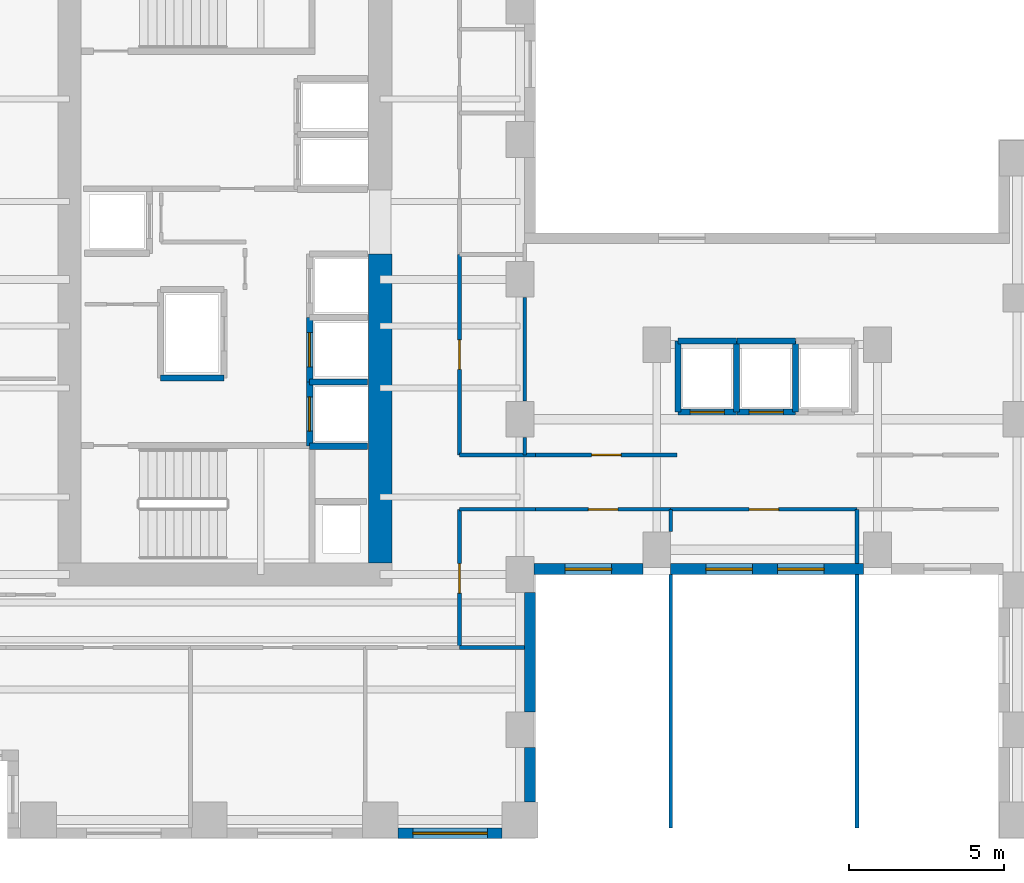
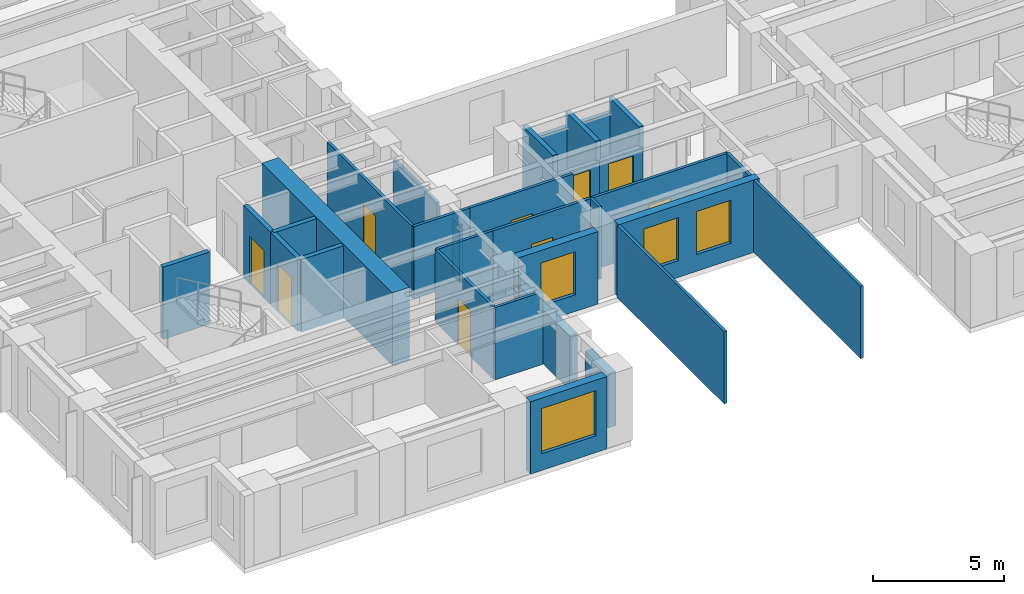
# One storey, part 4 of 11: 32 walls, 9 doors, 4 windows, 13 openings.
"""IFC4 building model written with IfcOpenShell, lengths in metres."""

from ifc_helpers import new_model, si_unit, direction, frame, frame_2d, origin, place, context, subcontext, project, spatial, rectangle, extrude, source, transform, mapped, material, layer, layer_set, type_object, element, fill, save


model = new_model("IFC4")

# Units and contexts
model_context = context("Model", 3, precision=1e-05, world=origin(), true_north=direction((0.0, 1.0)))
body_context = subcontext(model_context, "Body", "Model", "MODEL_VIEW")
ifc_project = project(units=[si_unit("LENGTHUNIT", "METRE"), si_unit("AREAUNIT", "SQUARE_METRE"), si_unit("VOLUMEUNIT", "CUBIC_METRE"), si_unit("PLANEANGLEUNIT", "RADIAN"), si_unit("MASSUNIT", "GRAM", prefix="KILO")], contexts=[model_context])

# Site, building, storey
site_placement = place(None, origin())
site = spatial("IfcSite", under=ifc_project, at=site_placement, CompositionType="ELEMENT")
building_placement = place(site_placement, origin())
building = spatial("IfcBuilding", under=site, at=building_placement, Name="Kharzan Plaza Tower", CompositionType="ELEMENT")
storey_placement = place(building_placement, frame((0.0, 0.0, 120.60009765625)))
storey = spatial("IfcBuildingStorey", under=building, at=storey_placement, Name="L32", CompositionType="ELEMENT", Elevation=120.60009765625)

# Wall, opening, window
ifc_material_1 = material(Name="Concrete C40/50", Category="concrete")
ifc_layer_1 = layer(ifc_material_1, 0.35009765625)
ifc_layer_set_1 = layer_set([ifc_layer_1], Name="Concrete C40/50")
wall_type_1 = type_object("IfcWallType", Name="WL-EXT-MAS-Z2", PredefinedType="SOLIDWALL", material=ifc_layer_set_1)
wall_1_placement = place(storey_placement, frame((15.072998046875, 0.175048828125, 0.0), z_axis=(0.0, 0.0, 1.0), x_axis=(1.0, 0.0, 0.0)))
wall_1 = element("IfcWall", 1, at=wall_1_placement, inside=storey, type_object=wall_type_1, Name="L32 Masonry-Frame Exterior Wall 31", PredefinedType="SOLIDWALL", context=body_context, shape_type="SweptSolid", body=[
    extrude(rectangle(XDim=3.35400390625, YDim=0.35009765625, at=frame_2d((1.677001953125, 0.0))), origin(), (0.0, 0.0, 1.0), 3.364990234375),
])
opening_1_placement = place(wall_1_placement, frame((0.47705078125, 0.0, 0.780029296875)))
opening_1 = element("IfcOpeningElement", 2, at=opening_1_placement, cuts=wall_1, Name="Opening W2", PredefinedType="OPENING", context=body_context, shape_type="SweptSolid", body=[
    extrude(rectangle(XDim=2.39990234375, YDim=2.10009765625, at=frame_2d((1.199951171875, 1.050048828125))), frame((0.0, 0.18505859375, 0.0), z_axis=(0.0, -1.0, 0.0), x_axis=(1.0, 0.0, 0.0)), (0.0, 0.0, 1.0), 0.3701171875),
])
ifc_material_2 = material(Name="Low-E Double Glazing", Category="glass")
window_type_1 = type_object("IfcWindowType", Name="WN-REC-2400x2100", PartitioningType="SINGLE_PANEL", PredefinedType="WINDOW", material=ifc_material_2)
shared_shape_1 = source(origin(), body_context, "Body", "SweptSolid", [
    extrude(rectangle(XDim=2.39990234375, YDim=2.10009765625, at=frame_2d((1.199951171875, 1.050048828125))), frame((0.0, 0.030029296875, 0.0), z_axis=(0.0, -1.0, 0.0), x_axis=(1.0, 0.0, 0.0)), (0.0, 0.0, 1.0), 0.06005859375),
])
window_1_placement = place(opening_1_placement, origin())
window_1 = element("IfcWindow", 3, at=window_1_placement, inside=storey, type_object=window_type_1, Name="L32 Wide Recessed Solar-Control Window 31-1", OverallHeight=2.10009765625, OverallWidth=2.39990234375, PartitioningType="SINGLE_PANEL", PredefinedType="WINDOW", context=body_context, shape_type="MappedRepresentation", body=[
    mapped(shared_shape_1, transform((0.0, 0.0, 0.0), x_axis=(1.0, 0.0, 0.0), y_axis=(0.0, 1.0, 0.0), z_axis=(0.0, 0.0, 1.0))),
])
fill(opening_1, window_1)

wall_2_placement = place(storey_placement, frame((19.447998046875, 8.675048828125, 0.0), z_axis=(0.0, 0.0, 1.0), x_axis=(1.0, 0.0, 0.0)))
wall_2 = element("IfcWall", 4, at=wall_2_placement, inside=storey, type_object=wall_type_1, Name="L32 Masonry-Frame Exterior Wall 34", PredefinedType="SOLIDWALL", context=body_context, shape_type="SweptSolid", body=[
    extrude(rectangle(XDim=3.50390625, YDim=0.35009765625, at=frame_2d((1.751953125, 0.0))), origin(), (0.0, 0.0, 1.0), 3.364990234375),
])
opening_2_placement = place(wall_2_placement, frame((1.001953125, 0.0, 0.780029296875)))
opening_2 = element("IfcOpeningElement", 5, at=opening_2_placement, cuts=wall_2, Name="Opening W5", PredefinedType="OPENING", context=body_context, shape_type="SweptSolid", body=[
    extrude(rectangle(XDim=1.5, YDim=2.0, at=frame_2d((0.75, 1.0))), frame((0.0, 0.18505859375, 0.0), z_axis=(0.0, -1.0, 0.0), x_axis=(1.0, 0.0, 0.0)), (0.0, 0.0, 1.0), 0.3701171875),
])
window_type_2 = type_object("IfcWindowType", Name="WN-SLT-1500x2000", PartitioningType="SINGLE_PANEL", PredefinedType="WINDOW", material=ifc_material_2)
shared_shape_2 = source(origin(), body_context, "Body", "SweptSolid", [
    extrude(rectangle(XDim=1.5, YDim=2.0, at=frame_2d((0.75, 1.0))), frame((0.0, 0.030029296875, 0.0), z_axis=(0.0, -1.0, 0.0), x_axis=(1.0, 0.0, 0.0)), (0.0, 0.0, 1.0), 0.06005859375),
])
window_2_placement = place(opening_2_placement, origin())
window_2 = element("IfcWindow", 6, at=window_2_placement, inside=storey, type_object=window_type_2, Name="L32 Recessed Solar-Control Window 34-1", OverallHeight=2.0, OverallWidth=1.5, PartitioningType="SINGLE_PANEL", PredefinedType="WINDOW", context=body_context, shape_type="MappedRepresentation", body=[
    mapped(shared_shape_2, transform((0.0, 0.0, 0.0), x_axis=(1.0, 0.0, 0.0), y_axis=(0.0, 1.0, 0.0), z_axis=(0.0, 0.0, 1.0))),
])
fill(opening_2, window_2)

# Wall, openings, windows
wall_3_placement = place(storey_placement, frame((23.847900390625, 8.675048828125, 0.0), z_axis=(0.0, 0.0, 1.0), x_axis=(1.0, 0.0, 0.0)))
wall_3 = element("IfcWall", 7, at=wall_3_placement, inside=storey, type_object=wall_type_1, Name="L32 Masonry-Frame Exterior Wall 35", PredefinedType="SOLIDWALL", context=body_context, shape_type="SweptSolid", body=[
    extrude(rectangle(XDim=6.2041015625, YDim=0.35009765625, at=frame_2d((3.10205078125, 0.0))), origin(), (0.0, 0.0, 1.0), 3.364990234375),
])
opening_3_placement = place(wall_3_placement, frame((1.130615234375, 0.0, 0.780029296875)))
opening_3 = element("IfcOpeningElement", 8, at=opening_3_placement, cuts=wall_3, Name="Opening W5", PredefinedType="OPENING", context=body_context, shape_type="SweptSolid", body=[
    extrude(rectangle(XDim=1.5, YDim=2.0, at=frame_2d((0.75, 1.0))), frame((0.0, 0.18505859375, 0.0), z_axis=(0.0, -1.0, 0.0), x_axis=(1.0, 0.0, 0.0)), (0.0, 0.0, 1.0), 0.3701171875),
])
opening_4_placement = place(wall_3_placement, frame((3.44140625, 0.0, 0.780029296875)))
opening_4 = element("IfcOpeningElement", 9, at=opening_4_placement, cuts=wall_3, Name="Opening W5", PredefinedType="OPENING", context=body_context, shape_type="SweptSolid", body=[
    extrude(rectangle(XDim=1.5, YDim=2.0, at=frame_2d((0.75, 1.0))), frame((0.0, 0.18505859375, 0.0), z_axis=(0.0, -1.0, 0.0), x_axis=(1.0, 0.0, 0.0)), (0.0, 0.0, 1.0), 0.3701171875),
])
window_3_placement = place(opening_3_placement, origin())
window_3 = element("IfcWindow", 10, at=window_3_placement, inside=storey, type_object=window_type_2, Name="L32 Recessed Solar-Control Window 35-1", OverallHeight=2.0, OverallWidth=1.5, PartitioningType="SINGLE_PANEL", PredefinedType="WINDOW", context=body_context, shape_type="MappedRepresentation", body=[
    mapped(shared_shape_2, transform((0.0, 0.0, 0.0), x_axis=(1.0, 0.0, 0.0), y_axis=(0.0, 1.0, 0.0), z_axis=(0.0, 0.0, 1.0))),
])
fill(opening_3, window_3)
window_4_placement = place(opening_4_placement, origin())
window_4 = element("IfcWindow", 11, at=window_4_placement, inside=storey, type_object=window_type_2, Name="L32 Recessed Solar-Control Window 35-2", OverallHeight=2.0, OverallWidth=1.5, PartitioningType="SINGLE_PANEL", PredefinedType="WINDOW", context=body_context, shape_type="MappedRepresentation", body=[
    mapped(shared_shape_2, transform((0.0, 0.0, 0.0), x_axis=(1.0, 0.0, 0.0), y_axis=(0.0, 1.0, 0.0), z_axis=(0.0, 0.0, 1.0))),
])
fill(opening_4, window_4)

# Wall, opening, door
ifc_material_3 = material(Name="Fire-Rated Gypsum Board Partition", Category="gypsum")
ifc_layer_2 = layer(ifc_material_3, 0.125)
ifc_layer_set_2 = layer_set([ifc_layer_2], Name="Fire-Rated Gypsum Board Partition")
wall_type_2 = type_object("IfcWallType", Name="WL-INT-PART-125", PredefinedType="PARTITIONING", material=ifc_layer_set_2)
wall_4_placement = place(storey_placement, frame((17.050048828125, 12.35009765625, 0.0), z_axis=(0.0, 0.0, 1.0), x_axis=(0.0, 1.0, 0.0)))
wall_4 = element("IfcWall", 12, at=wall_4_placement, inside=storey, type_object=wall_type_2, Name="L32 Interior Partition SH-AEWN1", PredefinedType="PARTITIONING", context=body_context, shape_type="SweptSolid", body=[
    extrude(rectangle(XDim=6.449951171875, YDim=0.125, at=frame_2d((3.22509765625, 0.0))), origin(), (0.0, 0.0, 1.0), 3.364990234375),
])
opening_5_placement = place(wall_4_placement, frame((2.75, 0.0, 0.0)))
opening_5 = element("IfcOpeningElement", 13, at=opening_5_placement, cuts=wall_4, Name="Opening OD1", PredefinedType="OPENING", context=body_context, shape_type="SweptSolid", body=[
    extrude(rectangle(XDim=0.949951171875, YDim=2.14990234375, at=frame_2d((0.47509765625, 1.074951171875))), frame((0.0, 0.072509765625, 0.0), z_axis=(0.0, -1.0, 0.0), x_axis=(1.0, 0.0, 0.0)), (0.0, 0.0, 1.0), 0.14501953125),
])
ifc_material_4 = material(Name="Acoustic Solid-Core Stained Oak", Category="timber")
door_type_1 = type_object("IfcDoorType", Name="DR-OFF-SINGLE", OperationType="NOTDEFINED", PredefinedType="DOOR", material=ifc_material_4)
shared_shape_3 = source(origin(), body_context, "Body", "SweptSolid", [
    extrude(rectangle(XDim=0.949951171875, YDim=2.14990234375, at=frame_2d((0.47509765625, 1.074951171875))), frame((0.0, 0.02490234375, 0.0), z_axis=(0.0, -1.0, 0.0), x_axis=(1.0, 0.0, 0.0)), (0.0, 0.0, 1.0), 0.050048828125),
])
door_1_placement = place(opening_5_placement, origin())
door_1 = element("IfcDoor", 14, at=door_1_placement, inside=storey, type_object=door_type_1, Name="L32 Slot Collaboration Door", OperationType="SINGLE_SWING_RIGHT", OverallHeight=2.14990234375, OverallWidth=0.949951171875, PredefinedType="DOOR", context=body_context, shape_type="MappedRepresentation", body=[
    mapped(shared_shape_3, transform((0.0, 0.0, 0.0), x_axis=(1.0, 0.0, 0.0), y_axis=(0.0, 1.0, 0.0), z_axis=(0.0, 0.0, 1.0))),
])
fill(opening_5, door_1)

wall_5_placement = place(storey_placement, frame((17.050048828125, 6.14990234375, 0.0), z_axis=(0.0, 0.0, 1.0), x_axis=(0.0, 1.0, 0.0)))
wall_5 = element("IfcWall", 15, at=wall_5_placement, inside=storey, type_object=wall_type_2, Name="L32 Interior Partition SH-AEWS", PredefinedType="PARTITIONING", context=body_context, shape_type="SweptSolid", body=[
    extrude(rectangle(XDim=4.4501953125, YDim=0.125, at=frame_2d((2.22509765625, 0.0))), origin(), (0.0, 0.0, 1.0), 3.364990234375),
])
opening_6_placement = place(wall_5_placement, frame((1.75, 0.0, 0.0)))
opening_6 = element("IfcOpeningElement", 16, at=opening_6_placement, cuts=wall_5, Name="Opening OD1", PredefinedType="OPENING", context=body_context, shape_type="SweptSolid", body=[
    extrude(rectangle(XDim=0.949951171875, YDim=2.14990234375, at=frame_2d((0.47509765625, 1.074951171875))), frame((0.0, 0.072509765625, 0.0), z_axis=(0.0, -1.0, 0.0), x_axis=(1.0, 0.0, 0.0)), (0.0, 0.0, 1.0), 0.14501953125),
])
door_2_placement = place(opening_6_placement, origin())
door_2 = element("IfcDoor", 17, at=door_2_placement, inside=storey, type_object=door_type_1, Name="L32 Slot South Office Door", OperationType="SINGLE_SWING_LEFT", OverallHeight=2.14990234375, OverallWidth=0.949951171875, PredefinedType="DOOR", context=body_context, shape_type="MappedRepresentation", body=[
    mapped(shared_shape_3, transform((0.0, 0.0, 0.0), x_axis=(1.0, 0.0, 0.0), y_axis=(0.0, 1.0, 0.0), z_axis=(0.0, 0.0, 1.0))),
])
fill(opening_6, door_2)

wall_6_placement = place(storey_placement, frame((19.5, 12.35009765625, 0.0), z_axis=(0.0, 0.0, 1.0), x_axis=(1.0, 0.0, 0.0)))
wall_6 = element("IfcWall", 18, at=wall_6_placement, inside=storey, type_object=wall_type_2, Name="L32 Interior Partition SH-SPNW1", PredefinedType="PARTITIONING", context=body_context, shape_type="SweptSolid", body=[
    extrude(rectangle(XDim=4.550048828125, YDim=0.125, at=frame_2d((2.27490234375, 0.0))), origin(), (0.0, 0.0, 1.0), 3.364990234375),
])
opening_7_placement = place(wall_6_placement, frame((1.800048828125, 0.0, 0.0)))
opening_7 = element("IfcOpeningElement", 19, at=opening_7_placement, cuts=wall_6, Name="Opening OD1", PredefinedType="OPENING", context=body_context, shape_type="SweptSolid", body=[
    extrude(rectangle(XDim=0.949951171875, YDim=2.14990234375, at=frame_2d((0.47509765625, 1.074951171875))), frame((0.0, 0.072509765625, 0.0), z_axis=(0.0, -1.0, 0.0), x_axis=(1.0, 0.0, 0.0)), (0.0, 0.0, 1.0), 0.14501953125),
])
door_3_placement = place(opening_7_placement, origin())
door_3 = element("IfcDoor", 20, at=door_3_placement, inside=storey, type_object=door_type_1, Name="L32 North-West Spine Door", OperationType="SINGLE_SWING_LEFT", OverallHeight=2.14990234375, OverallWidth=0.949951171875, PredefinedType="DOOR", context=body_context, shape_type="MappedRepresentation", body=[
    mapped(shared_shape_3, transform((0.0, 0.0, 0.0), x_axis=(1.0, 0.0, 0.0), y_axis=(0.0, 1.0, 0.0), z_axis=(0.0, 0.0, 1.0))),
])
fill(opening_7, door_3)

wall_7_placement = place(storey_placement, frame((19.5, 10.60009765625, 0.0), z_axis=(0.0, 0.0, 1.0), x_axis=(1.0, 0.0, 0.0)))
wall_7 = element("IfcWall", 21, at=wall_7_placement, inside=storey, type_object=wall_type_2, Name="L32 Interior Partition SH-SPS1", PredefinedType="PARTITIONING", context=body_context, shape_type="SweptSolid", body=[
    extrude(rectangle(XDim=4.35009765625, YDim=0.125, at=frame_2d((2.175048828125, 0.0))), origin(), (0.0, 0.0, 1.0), 3.364990234375),
])
opening_8_placement = place(wall_7_placement, frame((1.699951171875, 0.0, 0.0)))
opening_8 = element("IfcOpeningElement", 22, at=opening_8_placement, cuts=wall_7, Name="Opening OD1", PredefinedType="OPENING", context=body_context, shape_type="SweptSolid", body=[
    extrude(rectangle(XDim=0.949951171875, YDim=2.14990234375, at=frame_2d((0.47509765625, 1.074951171875))), frame((0.0, 0.072509765625, 0.0), z_axis=(0.0, -1.0, 0.0), x_axis=(1.0, 0.0, 0.0)), (0.0, 0.0, 1.0), 0.14501953125),
])
door_4_placement = place(opening_8_placement, origin())
door_4 = element("IfcDoor", 23, at=door_4_placement, inside=storey, type_object=door_type_1, Name="L32 Spine Studio 1 Door", OperationType="SINGLE_SWING_RIGHT", OverallHeight=2.14990234375, OverallWidth=0.949951171875, PredefinedType="DOOR", context=body_context, shape_type="MappedRepresentation", body=[
    mapped(shared_shape_3, transform((0.0, 0.0, 0.0), x_axis=(1.0, 0.0, 0.0), y_axis=(0.0, 1.0, 0.0), z_axis=(0.0, 0.0, 1.0))),
])
fill(opening_8, door_4)

wall_8_placement = place(storey_placement, frame((23.85009765625, 10.60009765625, 0.0), z_axis=(0.0, 0.0, 1.0), x_axis=(1.0, 0.0, 0.0)))
wall_8 = element("IfcWall", 24, at=wall_8_placement, inside=storey, type_object=wall_type_2, Name="L32 Interior Partition SH-SPS2", PredefinedType="PARTITIONING", context=body_context, shape_type="SweptSolid", body=[
    extrude(rectangle(XDim=6.0, YDim=0.125, at=frame_2d((3.0, 0.0))), origin(), (0.0, 0.0, 1.0), 3.364990234375),
])
opening_9_placement = place(wall_8_placement, frame((2.52490234375, 0.0, 0.0)))
opening_9 = element("IfcOpeningElement", 25, at=opening_9_placement, cuts=wall_8, Name="Opening OD1", PredefinedType="OPENING", context=body_context, shape_type="SweptSolid", body=[
    extrude(rectangle(XDim=0.949951171875, YDim=2.14990234375, at=frame_2d((0.47509765625, 1.074951171875))), frame((0.0, 0.072509765625, 0.0), z_axis=(0.0, -1.0, 0.0), x_axis=(1.0, 0.0, 0.0)), (0.0, 0.0, 1.0), 0.14501953125),
])
door_5_placement = place(opening_9_placement, origin())
door_5 = element("IfcDoor", 26, at=door_5_placement, inside=storey, type_object=door_type_1, Name="L32 Spine Studio 2 Door", OperationType="SINGLE_SWING_LEFT", OverallHeight=2.14990234375, OverallWidth=0.949951171875, PredefinedType="DOOR", context=body_context, shape_type="MappedRepresentation", body=[
    mapped(shared_shape_3, transform((0.0, 0.0, 0.0), x_axis=(1.0, 0.0, 0.0), y_axis=(0.0, 1.0, 0.0), z_axis=(0.0, 0.0, 1.0))),
])
fill(opening_9, door_5)

ifc_layer_3 = layer(ifc_material_1, 0.199951171875)
ifc_layer_set_3 = layer_set([ifc_layer_3], Name="Concrete C40/50")
wall_type_3 = type_object("IfcWallType", Name="WL-INT-SHAFT-200", PredefinedType="PARTITIONING", material=ifc_layer_set_3)
wall_9_placement = place(storey_placement, frame((12.22998046875, 12.6298828125, 0.0), z_axis=(0.0, 0.0, 1.0), x_axis=(0.0, 1.0, 0.0)))
wall_9 = element("IfcWall", 27, at=wall_9_placement, inside=storey, type_object=wall_type_3, Name="L32 Interior Partition SHF-PL-H1-W", PredefinedType="PARTITIONING", context=body_context, shape_type="SweptSolid", body=[
    extrude(rectangle(XDim=2.070068359375, YDim=0.199951171875, at=frame_2d((1.03515625, 0.0))), origin(), (0.0, 0.0, 1.0), 3.364990234375),
])
opening_10_placement = place(wall_9_placement, frame((0.485107421875, 0.0, 0.0)))
opening_10 = element("IfcOpeningElement", 28, at=opening_10_placement, cuts=wall_9, Name="Opening LD", PredefinedType="OPENING", context=body_context, shape_type="SweptSolid", body=[
    extrude(rectangle(XDim=1.10009765625, YDim=2.199951171875, at=frame_2d((0.550048828125, 1.10009765625))), frame((0.0, 0.10986328125, 0.0), z_axis=(0.0, -1.0, 0.0), x_axis=(1.0, 0.0, 0.0)), (0.0, 0.0, 1.0), 0.219970703125),
])
ifc_material_5 = material(Name="Brushed Stainless Steel", Category="steel")
door_type_2 = type_object("IfcDoorType", Name="DR-LIFT-SLIDE", OperationType="SLIDING_TO_LEFT", PredefinedType="DOOR", material=ifc_material_5)
shared_shape_4 = source(origin(), body_context, "Body", "SweptSolid", [
    extrude(rectangle(XDim=1.10009765625, YDim=2.199951171875, at=frame_2d((0.550048828125, 1.10009765625))), frame((0.0, 0.02490234375, 0.0), z_axis=(0.0, -1.0, 0.0), x_axis=(1.0, 0.0, 0.0)), (0.0, 0.0, 1.0), 0.050048828125),
])
door_6_placement = place(opening_10_placement, origin())
door_6 = element("IfcDoor", 29, at=door_6_placement, inside=storey, type_object=door_type_2, Name="L32 High-Rise Passenger Lift PL-H1 Sliding Landing Door", OperationType="SLIDING_TO_LEFT", OverallHeight=2.199951171875, OverallWidth=1.10009765625, PredefinedType="DOOR", context=body_context, shape_type="MappedRepresentation", body=[
    mapped(shared_shape_4, transform((0.0, 0.0, 0.0), x_axis=(1.0, 0.0, 0.0), y_axis=(0.0, 1.0, 0.0), z_axis=(0.0, 0.0, 1.0))),
])
fill(opening_10, door_6)

wall_10_placement = place(storey_placement, frame((12.22998046875, 14.699951171875, 0.0), z_axis=(0.0, 0.0, 1.0), x_axis=(0.0, 1.0, 0.0)))
wall_10 = element("IfcWall", 30, at=wall_10_placement, inside=storey, type_object=wall_type_3, Name="L32 Interior Partition SHF-PL-H2-W", PredefinedType="PARTITIONING", context=body_context, shape_type="SweptSolid", body=[
    extrude(rectangle(XDim=2.070068359375, YDim=0.199951171875, at=frame_2d((1.03515625, 0.0))), origin(), (0.0, 0.0, 1.0), 3.364990234375),
])
opening_11_placement = place(wall_10_placement, frame((0.485107421875, 0.0, 0.0)))
opening_11 = element("IfcOpeningElement", 31, at=opening_11_placement, cuts=wall_10, Name="Opening LD", PredefinedType="OPENING", context=body_context, shape_type="SweptSolid", body=[
    extrude(rectangle(XDim=1.10009765625, YDim=2.199951171875, at=frame_2d((0.550048828125, 1.10009765625))), frame((0.0, 0.10986328125, 0.0), z_axis=(0.0, -1.0, 0.0), x_axis=(1.0, 0.0, 0.0)), (0.0, 0.0, 1.0), 0.219970703125),
])
door_7_placement = place(opening_11_placement, origin())
door_7 = element("IfcDoor", 32, at=door_7_placement, inside=storey, type_object=door_type_2, Name="L32 High-Rise Passenger Lift PL-H2 Sliding Landing Door", OperationType="SLIDING_TO_LEFT", OverallHeight=2.199951171875, OverallWidth=1.10009765625, PredefinedType="DOOR", context=body_context, shape_type="MappedRepresentation", body=[
    mapped(shared_shape_4, transform((0.0, 0.0, 0.0), x_axis=(1.0, 0.0, 0.0), y_axis=(0.0, 1.0, 0.0), z_axis=(0.0, 0.0, 1.0))),
])
fill(opening_11, door_7)

wall_11_placement = place(storey_placement, frame((24.080078125, 13.72998046875, 0.0), z_axis=(0.0, 0.0, 1.0), x_axis=(1.0, 0.0, 0.0)))
wall_11 = element("IfcWall", 33, at=wall_11_placement, inside=storey, type_object=wall_type_3, Name="L32 Interior Partition SHF-PL-M1-S", PredefinedType="PARTITIONING", context=body_context, shape_type="SweptSolid", body=[
    extrude(rectangle(XDim=1.889892578125, YDim=0.199951171875, at=frame_2d((0.94482421875, 0.0))), origin(), (0.0, 0.0, 1.0), 2.44580078125),
])
opening_12_placement = place(wall_11_placement, frame((0.39501953125, 0.0, 0.0)))
opening_12 = element("IfcOpeningElement", 34, at=opening_12_placement, cuts=wall_11, Name="Opening LD", PredefinedType="OPENING", context=body_context, shape_type="SweptSolid", body=[
    extrude(rectangle(XDim=1.10009765625, YDim=2.199951171875, at=frame_2d((0.550048828125, 1.10009765625))), frame((0.0, 0.10986328125, 0.0), z_axis=(0.0, -1.0, 0.0), x_axis=(1.0, 0.0, 0.0)), (0.0, 0.0, 1.0), 0.219970703125),
])
door_8_placement = place(opening_12_placement, origin())
door_8 = element("IfcDoor", 35, at=door_8_placement, inside=storey, type_object=door_type_2, Name="L32 Mid-Rise Passenger Lift PL-M1 Sliding Landing Door", OperationType="SLIDING_TO_LEFT", OverallHeight=2.199951171875, OverallWidth=1.10009765625, PredefinedType="DOOR", context=body_context, shape_type="MappedRepresentation", body=[
    mapped(shared_shape_4, transform((0.0, 0.0, 0.0), x_axis=(1.0, 0.0, 0.0), y_axis=(0.0, 1.0, 0.0), z_axis=(0.0, 0.0, 1.0))),
])
fill(opening_12, door_8)

wall_12_placement = place(storey_placement, frame((25.97998046875, 13.72998046875, 0.0), z_axis=(0.0, 0.0, 1.0), x_axis=(1.0, 0.0, 0.0)))
wall_12 = element("IfcWall", 36, at=wall_12_placement, inside=storey, type_object=wall_type_3, Name="L32 Interior Partition SHF-PL-M2-S", PredefinedType="PARTITIONING", context=body_context, shape_type="SweptSolid", body=[
    extrude(rectangle(XDim=1.89013671875, YDim=0.199951171875, at=frame_2d((0.945068359375, 0.0))), origin(), (0.0, 0.0, 1.0), 2.44580078125),
])
opening_13_placement = place(wall_12_placement, frame((0.39501953125, 0.0, 0.0)))
opening_13 = element("IfcOpeningElement", 37, at=opening_13_placement, cuts=wall_12, Name="Opening LD", PredefinedType="OPENING", context=body_context, shape_type="SweptSolid", body=[
    extrude(rectangle(XDim=1.10009765625, YDim=2.199951171875, at=frame_2d((0.550048828125, 1.10009765625))), frame((0.0, 0.10986328125, 0.0), z_axis=(0.0, -1.0, 0.0), x_axis=(1.0, 0.0, 0.0)), (0.0, 0.0, 1.0), 0.219970703125),
])
door_9_placement = place(opening_13_placement, origin())
door_9 = element("IfcDoor", 38, at=door_9_placement, inside=storey, type_object=door_type_2, Name="L32 Mid-Rise Passenger Lift PL-M2 Sliding Landing Door", OperationType="SLIDING_TO_LEFT", OverallHeight=2.199951171875, OverallWidth=1.10009765625, PredefinedType="DOOR", context=body_context, shape_type="MappedRepresentation", body=[
    mapped(shared_shape_4, transform((0.0, 0.0, 0.0), x_axis=(1.0, 0.0, 0.0), y_axis=(0.0, 1.0, 0.0), z_axis=(0.0, 0.0, 1.0))),
])
fill(opening_13, door_9)

# Walls
shared_shape_5 = source(origin(), body_context, "Body", "SweptSolid", [
    extrude(rectangle(XDim=2.2900390625, YDim=0.199951171875, at=frame_2d((1.14501953125, 0.0))), origin(), (0.0, 0.0, 1.0), 3.364990234375),
])
for number, where, z_axis, x_axis, name in (
    (39, (25.969970703125, 13.72998046875, 0.0), (0.0, 0.0, 1.0), (0.0, 1.0, 0.0), "L32 Interior Partition SHF-PL-M1-E"),
    (40, (24.080078125, 13.72998046875, 0.0), (0.0, 0.0, 1.0), (0.0, 1.0, 0.0), "L32 Interior Partition SHF-PL-M1-W"),
    (41, (27.8701171875, 13.72998046875, 0.0), (0.0, 0.0, 1.0), (0.0, 1.0, 0.0), "L32 Interior Partition SHF-PL-M2-E"),
):
    element("IfcWall", number, at=place(storey_placement, frame(where, z_axis=z_axis, x_axis=x_axis)), inside=storey, type_object=wall_type_3, Name=name, PredefinedType="PARTITIONING", context=body_context, shape_type="MappedRepresentation", body=[
        mapped(shared_shape_5, transform((0.0, 0.0, 0.0), x_axis=(1.0, 0.0, 0.0), y_axis=(0.0, 1.0, 0.0), z_axis=(0.0, 0.0, 1.0))),
    ])
shared_shape_6 = source(origin(), body_context, "Body", "SweptSolid", [
    extrude(rectangle(XDim=2.0400390625, YDim=0.199951171875, at=frame_2d((1.02001953125, 0.0))), origin(), (0.0, 0.0, 1.0), 3.364990234375),
])
wall_13_placement = place(storey_placement, frame((7.429931640625, 14.830078125, 0.0), z_axis=(0.0, 0.0, 1.0), x_axis=(1.0, 0.0, 0.0)))
element("IfcWall", 42, at=wall_13_placement, inside=storey, type_object=wall_type_3, Name="L32 Interior Partition SHF-SVL-1-S", PredefinedType="PARTITIONING", context=body_context, shape_type="MappedRepresentation", body=[
    mapped(shared_shape_6, transform((0.0, 0.0, 0.0), x_axis=(1.0, 0.0, 0.0), y_axis=(0.0, 1.0, 0.0), z_axis=(0.0, 0.0, 1.0))),
])
shared_shape_7 = source(origin(), body_context, "Body", "SweptSolid", [
    extrude(rectangle(XDim=2.097900390625, YDim=0.125, at=frame_2d((1.048828125, 0.0))), origin(), (0.0, 0.0, 1.0), 3.364990234375),
])
wall_14_placement = place(storey_placement, frame((17.050048828125, 6.14990234375, 0.0), z_axis=(0.0, 0.0, 1.0), x_axis=(1.0, 0.0, 0.0)))
element("IfcWall", 43, at=wall_14_placement, inside=storey, type_object=wall_type_2, Name="L32 Interior Partition SH-SSE-3", PredefinedType="PARTITIONING", context=body_context, shape_type="MappedRepresentation", body=[
    mapped(shared_shape_7, transform((0.0, 0.0, 0.0), x_axis=(1.0, 0.0, 0.0), y_axis=(0.0, 1.0, 0.0), z_axis=(0.0, 0.0, 1.0))),
])
shared_shape_8 = source(origin(), body_context, "Body", "SweptSolid", [
    extrude(rectangle(XDim=2.449951171875, YDim=0.125, at=frame_2d((1.22509765625, 0.0))), origin(), (0.0, 0.0, 1.0), 3.364990234375),
])
for number, where, z_axis, x_axis, name in (
    (44, (17.050048828125, 12.35009765625, 0.0), (0.0, 0.0, 1.0), (1.0, 0.0, 0.0), "L32 Interior Partition SH-SPNW0"),
    (45, (17.050048828125, 10.60009765625, 0.0), (0.0, 0.0, 1.0), (1.0, 0.0, 0.0), "L32 Interior Partition SH-SPS0"),
):
    element("IfcWall", number, at=place(storey_placement, frame(where, z_axis=z_axis, x_axis=x_axis)), inside=storey, type_object=wall_type_2, Name=name, PredefinedType="PARTITIONING", context=body_context, shape_type="MappedRepresentation", body=[
        mapped(shared_shape_8, transform((0.0, 0.0, 0.0), x_axis=(1.0, 0.0, 0.0), y_axis=(0.0, 1.0, 0.0), z_axis=(0.0, 0.0, 1.0))),
    ])
shared_shape_9 = source(origin(), body_context, "Body", "SweptSolid", [
    extrude(rectangle(XDim=8.14794921875, YDim=0.125, at=frame_2d((4.073974609375, 0.0))), origin(), (0.0, 0.0, 1.0), 3.364990234375),
])
for number, where, z_axis, x_axis, name in (
    (46, (23.85009765625, 0.35009765625, 0.0), (0.0, 0.0, 1.0), (0.0, 1.0, 0.0), "L32 Interior Partition SH-SPSV1-S1"),
    (47, (29.85009765625, 0.35009765625, 0.0), (0.0, 0.0, 1.0), (0.0, 1.0, 0.0), "L32 Interior Partition SH-SPSV2-S1"),
):
    element("IfcWall", number, at=place(storey_placement, frame(where, z_axis=z_axis, x_axis=x_axis)), inside=storey, type_object=wall_type_2, Name=name, PredefinedType="PARTITIONING", context=body_context, shape_type="MappedRepresentation", body=[
        mapped(shared_shape_9, transform((0.0, 0.0, 0.0), x_axis=(1.0, 0.0, 0.0), y_axis=(0.0, 1.0, 0.0), z_axis=(0.0, 0.0, 1.0))),
    ])
shared_shape_10 = source(origin(), body_context, "Body", "SweptSolid", [
    extrude(rectangle(XDim=1.748046875, YDim=0.125, at=frame_2d((0.8740234375, 0.0))), origin(), (0.0, 0.0, 1.0), 3.364990234375),
])
wall_15_placement = place(storey_placement, frame((29.85009765625, 8.85205078125, 0.0), z_axis=(0.0, 0.0, 1.0), x_axis=(0.0, 1.0, 0.0)))
element("IfcWall", 48, at=wall_15_placement, inside=storey, type_object=wall_type_2, Name="L32 Interior Partition SH-SPSV2-S2", PredefinedType="PARTITIONING", context=body_context, shape_type="MappedRepresentation", body=[
    mapped(shared_shape_10, transform((0.0, 0.0, 0.0), x_axis=(1.0, 0.0, 0.0), y_axis=(0.0, 1.0, 0.0), z_axis=(0.0, 0.0, 1.0))),
])
shared_shape_11 = source(origin(), body_context, "Body", "SweptSolid", [
    extrude(rectangle(XDim=0.559814453125, YDim=0.125, at=frame_2d((0.27978515625, 0.0))), origin(), (0.0, 0.0, 1.0), 2.677001953125),
])
wall_16_placement = place(storey_placement, frame((19.14990234375, 12.35009765625, 0.0), z_axis=(0.0, 0.0, 1.0), x_axis=(0.0, 1.0, 0.0)))
element("IfcWall", 49, at=wall_16_placement, inside=storey, type_object=wall_type_2, Name="L32 Interior Partition SH-AEN-DIV-S1", PredefinedType="PARTITIONING", context=body_context, shape_type="MappedRepresentation", body=[
    mapped(shared_shape_11, transform((0.0, 0.0, 0.0), x_axis=(1.0, 0.0, 0.0), y_axis=(0.0, 1.0, 0.0), z_axis=(0.0, 0.0, 1.0))),
])
shared_shape_12 = source(origin(), body_context, "Body", "SweptSolid", [
    extrude(rectangle(XDim=3.31982421875, YDim=0.125, at=frame_2d((1.659912109375, 0.0))), origin(), (0.0, 0.0, 1.0), 2.677001953125),
])
wall_17_placement = place(storey_placement, frame((19.14990234375, 14.090087890625, 0.0), z_axis=(0.0, 0.0, 1.0), x_axis=(0.0, 1.0, 0.0)))
element("IfcWall", 50, at=wall_17_placement, inside=storey, type_object=wall_type_2, Name="L32 Interior Partition SH-AEN-DIV-S2", PredefinedType="PARTITIONING", context=body_context, shape_type="MappedRepresentation", body=[
    mapped(shared_shape_12, transform((0.0, 0.0, 0.0), x_axis=(1.0, 0.0, 0.0), y_axis=(0.0, 1.0, 0.0), z_axis=(0.0, 0.0, 1.0))),
])
shared_shape_13 = source(origin(), body_context, "Body", "SweptSolid", [
    extrude(rectangle(XDim=1.864990234375, YDim=0.199951171875, at=frame_2d((0.9326171875, 0.0))), origin(), (0.0, 0.0, 1.0), 3.364990234375),
])
for number, where, z_axis, x_axis, name in (
    (51, (12.22998046875, 14.699951171875, 0.0), (0.0, 0.0, 1.0), (1.0, 0.0, 0.0), "L32 Interior Partition SHF-PL-H1-N"),
    (52, (12.22998046875, 12.6298828125, 0.0), (0.0, 0.0, 1.0), (1.0, 0.0, 0.0), "L32 Interior Partition SHF-PL-H1-S"),
):
    element("IfcWall", number, at=place(storey_placement, frame(where, z_axis=z_axis, x_axis=x_axis)), inside=storey, type_object=wall_type_3, Name=name, PredefinedType="PARTITIONING", context=body_context, shape_type="MappedRepresentation", body=[
        mapped(shared_shape_13, transform((0.0, 0.0, 0.0), x_axis=(1.0, 0.0, 0.0), y_axis=(0.0, 1.0, 0.0), z_axis=(0.0, 0.0, 1.0))),
    ])
shared_shape_14 = source(origin(), body_context, "Body", "SweptSolid", [
    extrude(rectangle(XDim=1.889892578125, YDim=0.199951171875, at=frame_2d((0.94482421875, 0.0))), origin(), (0.0, 0.0, 1.0), 2.677001953125),
])
wall_18_placement = place(storey_placement, frame((24.080078125, 16.02001953125, 0.0), z_axis=(0.0, 0.0, 1.0), x_axis=(1.0, 0.0, 0.0)))
element("IfcWall", 53, at=wall_18_placement, inside=storey, type_object=wall_type_3, Name="L32 Interior Partition SHF-PL-M1-N", PredefinedType="PARTITIONING", context=body_context, shape_type="MappedRepresentation", body=[
    mapped(shared_shape_14, transform((0.0, 0.0, 0.0), x_axis=(1.0, 0.0, 0.0), y_axis=(0.0, 1.0, 0.0), z_axis=(0.0, 0.0, 1.0))),
])
shared_shape_15 = source(origin(), body_context, "Body", "SweptSolid", [
    extrude(rectangle(XDim=1.89013671875, YDim=0.199951171875, at=frame_2d((0.945068359375, 0.0))), origin(), (0.0, 0.0, 1.0), 2.677001953125),
])
wall_19_placement = place(storey_placement, frame((25.97998046875, 16.02001953125, 0.0), z_axis=(0.0, 0.0, 1.0), x_axis=(1.0, 0.0, 0.0)))
element("IfcWall", 54, at=wall_19_placement, inside=storey, type_object=wall_type_3, Name="L32 Interior Partition SHF-PL-M2-N", PredefinedType="PARTITIONING", context=body_context, shape_type="MappedRepresentation", body=[
    mapped(shared_shape_15, transform((0.0, 0.0, 0.0), x_axis=(1.0, 0.0, 0.0), y_axis=(0.0, 1.0, 0.0), z_axis=(0.0, 0.0, 1.0))),
])
ifc_material_6 = material(Name="Concrete C60/75", Category="concrete")
ifc_layer_4 = layer(ifc_material_6, 0.75)
ifc_layer_set_4 = layer_set([ifc_layer_4], Name="Concrete C60/75")
wall_type_4 = type_object("IfcWallType", Name="WL-CORE-750", PredefinedType="SHEAR", material=ifc_layer_set_4)
shared_shape_16 = source(origin(), body_context, "Body", "SweptSolid", [
    extrude(rectangle(XDim=9.945068359375, YDim=0.75, at=frame_2d((4.97265625, 0.0))), origin(), (0.0, 0.0, 1.0), 3.3798828125),
])
wall_20_placement = place(storey_placement, frame((14.5, 8.875, 0.0), z_axis=(0.0, 0.0, 1.0), x_axis=(0.0, 1.0, 0.0)))
element("IfcWall", 55, at=wall_20_placement, inside=storey, type_object=wall_type_4, Name="L32 CORE-A east shear pier 1", PredefinedType="SHEAR", context=body_context, shape_type="MappedRepresentation", body=[
    mapped(shared_shape_16, transform((0.0, 0.0, 0.0), x_axis=(1.0, 0.0, 0.0), y_axis=(0.0, 1.0, 0.0), z_axis=(0.0, 0.0, 1.0))),
])
shared_shape_17 = source(origin(), body_context, "Body", "SweptSolid", [
    extrude(rectangle(XDim=1.75390625, YDim=0.35009765625, at=frame_2d((0.876953125, 0.0))), origin(), (0.0, 0.0, 1.0), 2.518798828125),
])
wall_21_placement = place(storey_placement, frame((19.324951171875, 1.173095703125, 0.0), z_axis=(0.0, 0.0, 1.0), x_axis=(0.0, 1.0, 0.0)))
element("IfcWall", 56, at=wall_21_placement, inside=storey, type_object=wall_type_1, Name="L32 Masonry-Frame Exterior Wall 32", PredefinedType="SOLIDWALL", context=body_context, shape_type="MappedRepresentation", body=[
    mapped(shared_shape_17, transform((0.0, 0.0, 0.0), x_axis=(1.0, 0.0, 0.0), y_axis=(0.0, 1.0, 0.0), z_axis=(0.0, 0.0, 1.0))),
])
shared_shape_18 = source(origin(), body_context, "Body", "SweptSolid", [
    extrude(rectangle(XDim=0.710205078125, YDim=0.125, at=frame_2d((0.35498046875, 0.0))), origin(), (0.0, 0.0, 1.0), 3.364990234375),
])
wall_22_placement = place(storey_placement, frame((23.85009765625, 9.889892578125, 0.0), z_axis=(0.0, 0.0, 1.0), x_axis=(0.0, 1.0, 0.0)))
element("IfcWall", 57, at=wall_22_placement, inside=storey, type_object=wall_type_2, Name="L32 Interior Partition SH-SPSV1-S2", PredefinedType="PARTITIONING", context=body_context, shape_type="MappedRepresentation", body=[
    mapped(shared_shape_18, transform((0.0, 0.0, 0.0), x_axis=(1.0, 0.0, 0.0), y_axis=(0.0, 1.0, 0.0), z_axis=(0.0, 0.0, 1.0))),
])
shared_shape_19 = source(origin(), body_context, "Body", "SweptSolid", [
    extrude(rectangle(XDim=3.85400390625, YDim=0.35009765625, at=frame_2d((1.927001953125, 0.0))), origin(), (0.0, 0.0, 1.0), 2.518798828125),
])
wall_23_placement = place(storey_placement, frame((19.324951171875, 4.072998046875, 0.0), z_axis=(0.0, 0.0, 1.0), x_axis=(0.0, 1.0, 0.0)))
element("IfcWall", 58, at=wall_23_placement, inside=storey, type_object=wall_type_1, Name="L32 Masonry-Frame Exterior Wall 33", PredefinedType="SOLIDWALL", context=body_context, shape_type="MappedRepresentation", body=[
    mapped(shared_shape_19, transform((0.0, 0.0, 0.0), x_axis=(1.0, 0.0, 0.0), y_axis=(0.0, 1.0, 0.0), z_axis=(0.0, 0.0, 1.0))),
])

save(model, "model.ifc")
